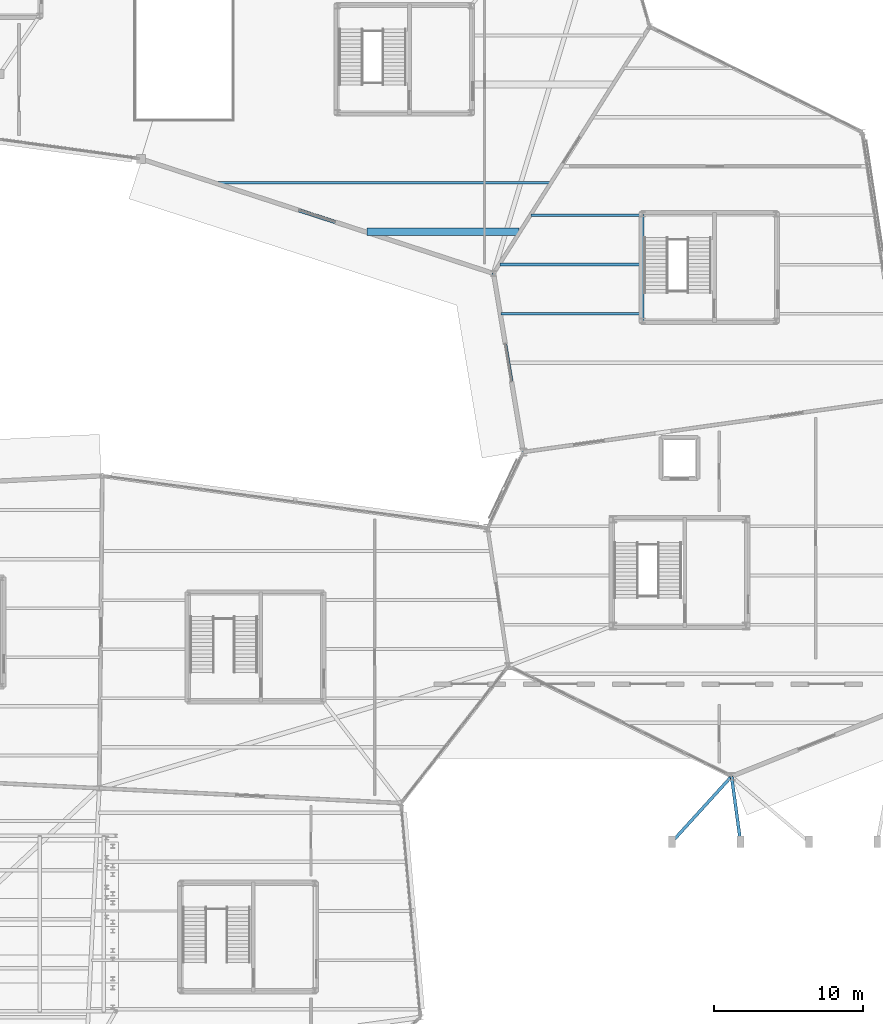
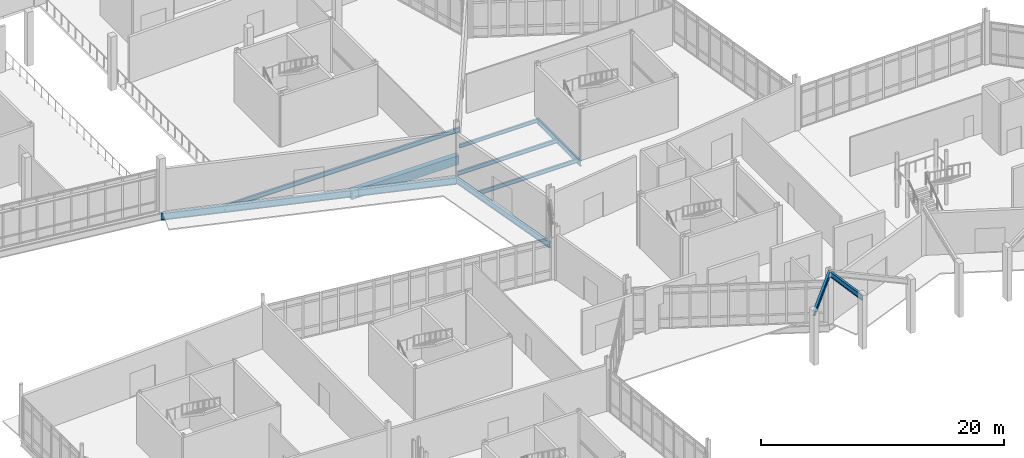
# One storey, part 33 of 113: 10 beams.
"""IFC4 building model written with IfcOpenShell, lengths in metres."""

from ifc_helpers import new_model, si_unit, direction, frame, origin, origin_2d, place, context, subcontext, project, spatial, rectangle, i_section, extrude, material, material_profile, profile_set, type_object, element, save


model = new_model("IFC4")

# Units and contexts
model_context = context("Model", 3, precision=1e-05, world=origin(), true_north=direction((0.0, 1.0)))
body_context = subcontext(model_context, "Body", "Model", "MODEL_VIEW")
ifc_project = project(units=[si_unit("LENGTHUNIT", "METRE"), si_unit("AREAUNIT", "SQUARE_METRE"), si_unit("VOLUMEUNIT", "CUBIC_METRE"), si_unit("PLANEANGLEUNIT", "RADIAN"), si_unit("MASSUNIT", "GRAM", prefix="KILO")], contexts=[model_context])

# Site, building, storey
site_placement = place(None, origin())
site = spatial("IfcSite", under=ifc_project, at=site_placement, CompositionType="ELEMENT")
building_placement = place(site_placement, origin())
building = spatial("IfcBuilding", under=site, at=building_placement, Name="Tameran Prism Museum", CompositionType="ELEMENT")
storey_placement = place(building_placement, origin())
storey = spatial("IfcBuildingStorey", under=building, at=storey_placement, Name="L00", CompositionType="ELEMENT", Elevation=0.0)

# Beams
ifc_material_1 = material(Name="Steel Grade 300PLUS (300 MPa)", Category="steel")
ifc_material_profile_1 = material_profile(ifc_material_1, i_section(OverallWidth=0.172119140625, OverallDepth=0.35888671875, WebThickness=0.008056640625, FlangeThickness=0.012939453125, FilletRadius=0.011474609375, at=origin_2d()))
ifc_profile_set_1 = profile_set([ifc_material_profile_1])
beam_type_1 = type_object("IfcBeamType", Name="BM-J360A", PredefinedType="JOIST", material=ifc_profile_set_1)
beam_1_placement = place(storey_placement, frame((52.513916015625, 60.5, -0.41943359375), z_axis=(1.0, 0.0, 0.0), x_axis=(0.0, 1.0, 0.0)))
element("IfcBeam", 1, at=beam_1_placement, inside=storey, type_object=beam_type_1, Name="Floor Beam BM-0223", PredefinedType="JOIST", context=body_context, shape_type="SweptSolid", body=[
    extrude(i_section(OverallWidth=0.172119140625, OverallDepth=0.35888671875, WebThickness=0.008056640625, FlangeThickness=0.012939453125, FilletRadius=0.011474609375, at=origin_2d()), origin(), (0.0, 0.0, 1.0), 7.506103515625),
])
ifc_material_2 = material(Name="Steel Grade 300PLUS (300 MPa)", Category="steel")
ifc_material_profile_2 = material_profile(ifc_material_2, i_section(OverallWidth=0.177978515625, OverallDepth=0.403076171875, WebThickness=0.007568359375, FlangeThickness=0.010986328125, FilletRadius=0.011474609375, at=origin_2d()))
ifc_profile_set_2 = profile_set([ifc_material_profile_2])
beam_type_2 = type_object("IfcBeamType", Name="BM-J410B", PredefinedType="JOIST", material=ifc_profile_set_2)
beam_2_placement = place(storey_placement, frame((50.490966796875, 53.89990234375, -0.44140625), z_axis=(1.0, 0.0, 0.0), x_axis=(0.0, 1.0, 0.0)))
element("IfcBeam", 2, at=beam_2_placement, inside=storey, type_object=beam_type_2, Name="Floor Beam BM-0219", PredefinedType="JOIST", context=body_context, shape_type="SweptSolid", body=[
    extrude(i_section(OverallWidth=0.177978515625, OverallDepth=0.403076171875, WebThickness=0.007568359375, FlangeThickness=0.010986328125, FilletRadius=0.011474609375, at=origin_2d()), origin(), (0.0, 0.0, 1.0), 9.529052734375),
])
beam_3_placement = place(storey_placement, frame((50.427001953125, 57.199951171875, -0.44140625), z_axis=(1.0, 0.0, 0.0), x_axis=(0.0, 1.0, 0.0)))
element("IfcBeam", 3, at=beam_3_placement, inside=storey, type_object=beam_type_2, Name="Floor Beam BM-0221", PredefinedType="JOIST", context=body_context, shape_type="SweptSolid", body=[
    extrude(i_section(OverallWidth=0.177978515625, OverallDepth=0.403076171875, WebThickness=0.007568359375, FlangeThickness=0.010986328125, FilletRadius=0.011474609375, at=origin_2d()), origin(), (0.0, 0.0, 1.0), 9.593017578125),
])
ifc_material_3 = material(Name="Steel Grade 300PLUS (300 MPa)", Category="steel")
ifc_material_profile_3 = material_profile(ifc_material_3, i_section(OverallWidth=0.19091796875, OverallDepth=0.4599609375, WebThickness=0.010009765625, FlangeThickness=0.01611328125, FilletRadius=0.011474609375, at=origin_2d()))
ifc_profile_set_3 = profile_set([ifc_material_profile_3])
beam_type_3 = type_object("IfcBeamType", Name="BM-J460A", PredefinedType="JOIST", material=ifc_profile_set_3)
beam_4_placement = place(storey_placement, frame((31.35400390625, 62.699951171875, -0.489990234375), z_axis=(1.0, 0.0, 0.0), x_axis=(0.0, 1.0, 0.0)))
element("IfcBeam", 4, at=beam_4_placement, inside=storey, type_object=beam_type_3, Name="Floor Beam BM-0284", PredefinedType="JOIST", context=body_context, shape_type="SweptSolid", body=[
    extrude(i_section(OverallWidth=0.19091796875, OverallDepth=0.4599609375, WebThickness=0.010009765625, FlangeThickness=0.01611328125, FilletRadius=0.011474609375, at=origin_2d()), origin(), (0.0, 0.0, 1.0), 22.45703125),
])
ifc_material_4 = material(Name="Concrete N40 (40 MPa)", Category="concrete")
ifc_material_profile_4 = material_profile(ifc_material_4, rectangle(XDim=0.5, YDim=0.89990234375, at=origin_2d()))
ifc_profile_set_4 = profile_set([ifc_material_profile_4])
beam_type_4 = type_object("IfcBeamType", Name="BM-RC900", PredefinedType="BEAM", material=ifc_profile_set_4)
beam_5_placement = place(storey_placement, frame((41.510986328125, 59.39990234375, -0.7099609375), z_axis=(1.0, 0.0, 0.0), x_axis=(0.0, 1.0, 0.0)))
element("IfcBeam", 5, at=beam_5_placement, inside=storey, type_object=beam_type_4, Name="Floor Beam BM-0283", PredefinedType="BEAM", context=body_context, shape_type="SweptSolid", body=[
    extrude(rectangle(XDim=0.5, YDim=0.89990234375, at=origin_2d()), origin(), (0.0, 0.0, 1.0), 10.213134765625),
])
ifc_material_5 = material(Name="Steel Grade 300PLUS (300 MPa)", Category="steel")
ifc_material_profile_5 = material_profile(ifc_material_5, i_section(OverallWidth=0.208984375, OverallDepth=0.528076171875, WebThickness=0.009521484375, FlangeThickness=0.01318359375, FilletRadius=0.013916015625, at=origin_2d()))
ifc_profile_set_5 = profile_set([ifc_material_profile_5])
beam_type_5 = type_object("IfcBeamType", Name="BM-SP530B", PredefinedType="SPANDREL", material=ifc_profile_set_5)
beam_6_placement = place(storey_placement, frame((60.02001953125, 60.580078125, -0.50390625), z_axis=(0.0, -1.0, 0.0), x_axis=(1.0, 0.0, 0.0)))
element("IfcBeam", 6, at=beam_6_placement, inside=storey, type_object=beam_type_5, Name="Core Ring Beam CTB-0121", PredefinedType="SPANDREL", context=body_context, shape_type="SweptSolid", body=[
    extrude(i_section(OverallWidth=0.208984375, OverallDepth=0.528076171875, WebThickness=0.009521484375, FlangeThickness=0.01318359375, FilletRadius=0.013916015625, at=origin_2d()), origin(), (0.0, 0.0, 1.0), 7.16015625),
])
beam_7_placement = place(storey_placement, frame((62.0, 18.39990234375, 4.9599609375), z_axis=(0.672660532854, 0.739951219704, 0.0), x_axis=(-0.739951219704, 0.672660532854, 0.0)))
element("IfcBeam", 7, at=beam_7_placement, inside=storey, type_object=beam_type_5, Name="Canopy Tie Beam CB-1315", PredefinedType="SPANDREL", context=body_context, shape_type="SweptSolid", body=[
    extrude(i_section(OverallWidth=0.208984375, OverallDepth=0.528076171875, WebThickness=0.009521484375, FlangeThickness=0.01318359375, FilletRadius=0.013916015625, at=origin_2d()), origin(), (0.0, 0.0, 1.0), 5.946533203125),
])
beam_8_placement = place(storey_placement, frame((66.60009765625, 18.39990234375, 4.9599609375), z_axis=(-0.135130377663, 0.99082782613, 0.0), x_axis=(-0.99082782613, -0.135130377663, 0.0)))
element("IfcBeam", 8, at=beam_8_placement, inside=storey, type_object=beam_type_5, Name="Canopy Tie Beam CB-1316", PredefinedType="SPANDREL", context=body_context, shape_type="SweptSolid", body=[
    extrude(i_section(OverallWidth=0.208984375, OverallDepth=0.528076171875, WebThickness=0.009521484375, FlangeThickness=0.01318359375, FilletRadius=0.013916015625, at=origin_2d()), origin(), (0.0, 0.0, 1.0), 4.44091796875),
])
ifc_material_6 = material(Name="Steel Grade 300PLUS (300 MPa)", Category="steel")
ifc_material_profile_6 = material_profile(ifc_material_6, i_section(OverallWidth=0.22802734375, OverallDepth=0.60205078125, WebThickness=0.010498046875, FlangeThickness=0.014892578125, FilletRadius=0.013916015625, at=origin_2d()))
ifc_profile_set_6 = profile_set([ifc_material_profile_6])
beam_type_6 = type_object("IfcBeamType", Name="BM-SP610", PredefinedType="SPANDREL", material=ifc_profile_set_6)
beam_9_placement = place(storey_placement, frame((50.0, 56.60009765625, -0.541015625), z_axis=(0.164398987305, -0.986393923832, 0.0), x_axis=(0.986393923832, 0.164398987305, 0.0)))
element("IfcBeam", 9, at=beam_9_placement, inside=storey, type_object=beam_type_6, Name="Perimeter Spandrel SP-0033", PredefinedType="SPANDREL", context=body_context, shape_type="SweptSolid", body=[
    extrude(i_section(OverallWidth=0.22802734375, OverallDepth=0.60205078125, WebThickness=0.010498046875, FlangeThickness=0.014892578125, FilletRadius=0.013916015625, at=origin_2d()), origin(), (0.0, 0.0, 1.0), 12.16552734375),
])
ifc_material_7 = material(Name="Steel Grade 350 (350 MPa)", Category="steel")
ifc_material_profile_7 = material_profile(ifc_material_7, i_section(OverallWidth=0.25, OverallDepth=0.699951171875, WebThickness=0.010009765625, FlangeThickness=0.02001953125, at=origin_2d()))
ifc_profile_set_7 = profile_set([ifc_material_profile_7])
beam_type_7 = type_object("IfcBeamType", Name="BM-SP700", PredefinedType="SPANDREL", material=ifc_profile_set_7)
beam_10_placement = place(storey_placement, frame((26.300048828125, 64.300048828125, -0.610107421875), z_axis=(0.951063943279, -0.308994135535, 0.0), x_axis=(0.308994135535, 0.951063943279, 0.0)))
element("IfcBeam", 10, at=beam_10_placement, inside=storey, type_object=beam_type_7, Name="Perimeter Spandrel SP-0078", PredefinedType="SPANDREL", context=body_context, shape_type="SweptSolid", body=[
    extrude(i_section(OverallWidth=0.25, OverallDepth=0.699951171875, WebThickness=0.010009765625, FlangeThickness=0.02001953125, at=origin_2d()), origin(), (0.0, 0.0, 1.0), 24.91943359375),
])

save(model, "model.ifc")
